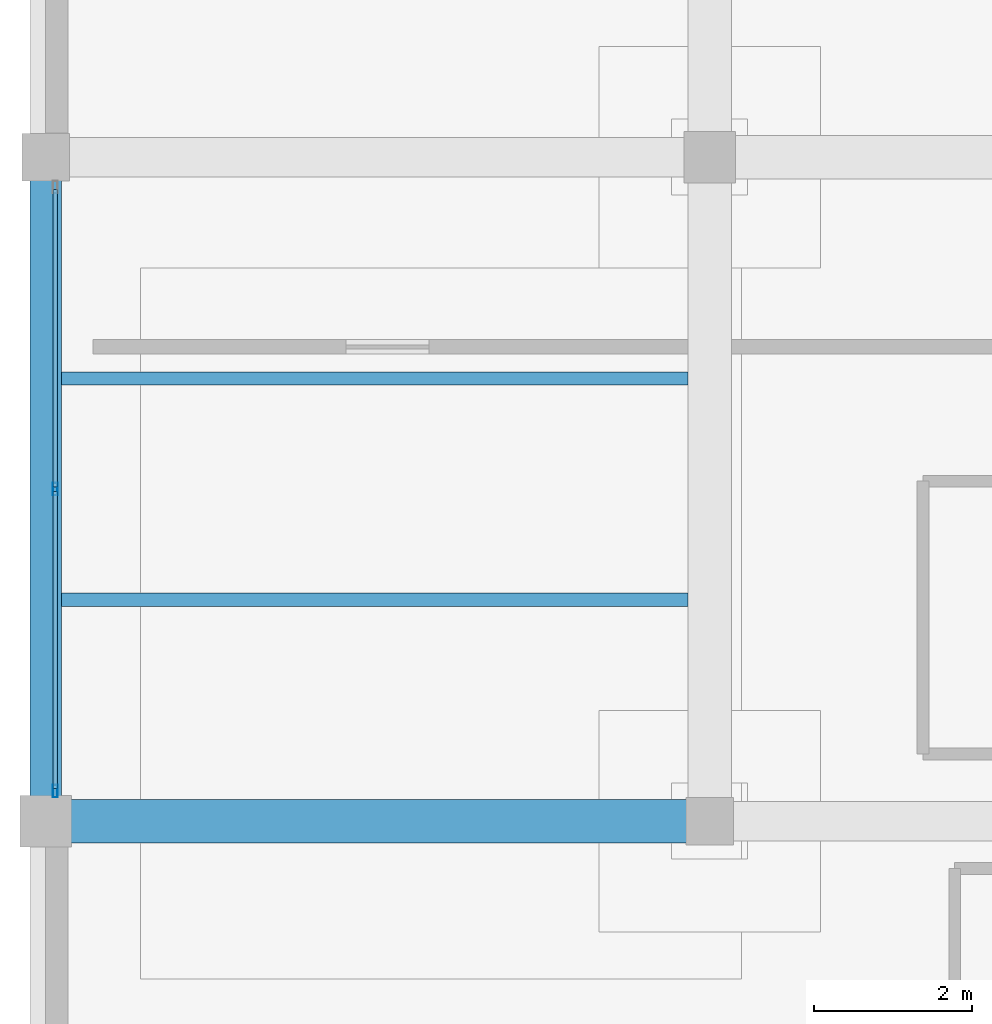
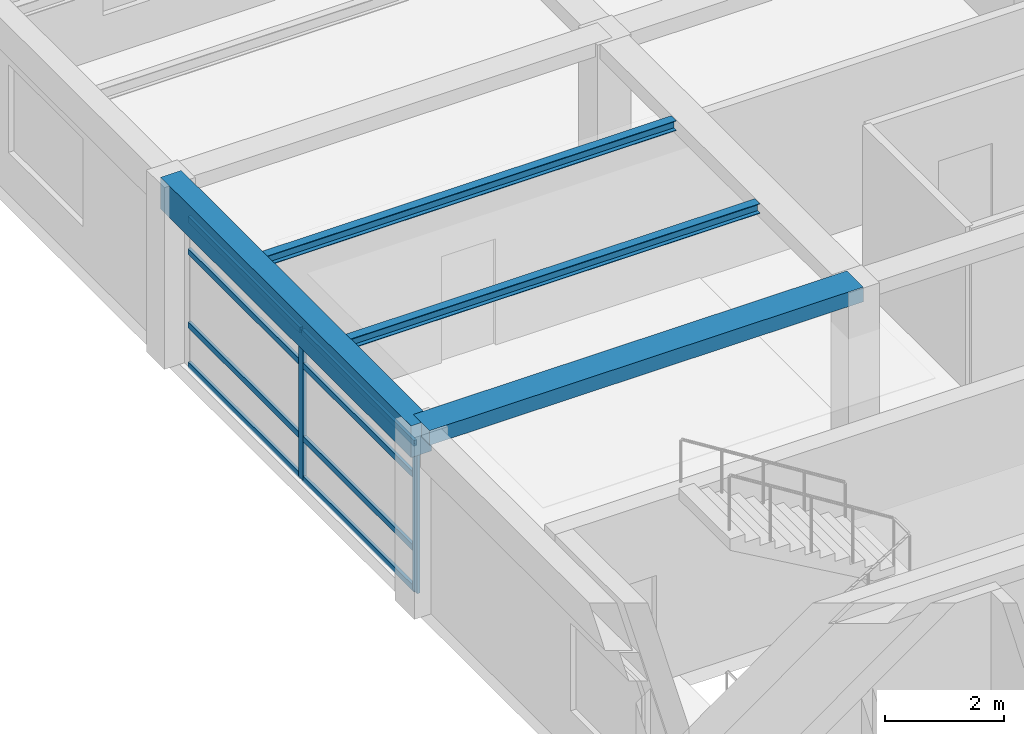
# One storey, part 8 of 25: 10 members, 4 beams, 1 element without a shape of its own.
"""IFC4 building model written with IfcOpenShell, lengths in metres."""

from ifc_helpers import new_model, si_unit, direction, frame, origin, origin_2d, place, context, subcontext, project, spatial, rectangle, hollow_rectangle, i_section, extrude, material, material_profile, profile_set, type_object, element, aggregate, save


model = new_model("IFC4")

# Units and contexts
model_context = context("Model", 3, precision=1e-05, world=origin(), true_north=direction((0.0, 1.0)))
body_context = subcontext(model_context, "Body", "Model", "MODEL_VIEW")
ifc_project = project(units=[si_unit("LENGTHUNIT", "METRE"), si_unit("AREAUNIT", "SQUARE_METRE"), si_unit("VOLUMEUNIT", "CUBIC_METRE"), si_unit("PLANEANGLEUNIT", "RADIAN"), si_unit("MASSUNIT", "GRAM", prefix="KILO")], contexts=[model_context])

# Site, building, storey
site_placement = place(None, origin())
site = spatial("IfcSite", under=ifc_project, at=site_placement, CompositionType="ELEMENT")
building_placement = place(site_placement, origin())
building = spatial("IfcBuilding", under=site, at=building_placement, Name="Almacenes y Pasaje Nevantli", CompositionType="ELEMENT")
storey_placement = place(building_placement, frame((0.0, 0.0, 50.699951171875)))
storey = spatial("IfcBuildingStorey", under=building, at=storey_placement, Name="L12", CompositionType="ELEMENT", Elevation=50.699951171875)

# Beams
ifc_material_1 = material(Name="Concrete C35/45", Category="concrete")
ifc_material_profile_1 = material_profile(ifc_material_1, rectangle(XDim=0.39990234375, YDim=0.64990234375, at=origin_2d()), Name="RC-BM-400x650")
ifc_profile_set_1 = profile_set([ifc_material_profile_1], Name="Concrete C35/45")
beam_type_1 = type_object("IfcBeamType", Name="BM-RC-400x650", PredefinedType="SPANDREL", material=ifc_profile_set_1)
beam_1_placement = place(storey_placement, frame((117.60009765625, 84.0, 3.39501953125), z_axis=(0.0, 1.0, 0.0), x_axis=(-1.0, 0.0, 0.0)))
element("IfcBeam", 1, at=beam_1_placement, inside=storey, type_object=beam_type_1, Name="L12 North-South Reinforced Concrete Beam #3918", PredefinedType="SPANDREL", context=body_context, shape_type="SweptSolid", body=[
    extrude(rectangle(XDim=0.39990234375, YDim=0.64990234375, at=origin_2d()), origin(), (0.0, 0.0, 1.0), 8.39990234375),
])
ifc_material_2 = material(Name="Concrete C35/45", Category="concrete")
ifc_material_profile_2 = material_profile(ifc_material_2, rectangle(XDim=0.550048828125, YDim=0.300048828125, at=origin_2d()), Name="RC-BM-550x300")
ifc_profile_set_2 = profile_set([ifc_material_profile_2], Name="Concrete C35/45")
beam_type_2 = type_object("IfcBeamType", Name="BM-RC-550x300", PredefinedType="BEAM", material=ifc_profile_set_2)
beam_2_placement = place(storey_placement, frame((117.60009765625, 84.0, 3.570068359375), z_axis=(1.0, 0.0, 0.0), x_axis=(0.0, 1.0, 0.0)))
element("IfcBeam", 2, at=beam_2_placement, inside=storey, type_object=beam_type_2, Name="L12 East-West Reinforced Concrete Beam #3901", PredefinedType="BEAM", context=body_context, shape_type="SweptSolid", body=[
    extrude(rectangle(XDim=0.550048828125, YDim=0.300048828125, at=origin_2d()), origin(), (0.0, 0.0, 1.0), 8.39990234375),
])
ifc_material_3 = material(Name="Steel ASTM A992", Category="steel")
ifc_material_profile_3 = material_profile(ifc_material_3, i_section(OverallWidth=0.166015625, OverallDepth=0.205078125, WebThickness=0.007080078125, FlangeThickness=0.01171875, at=origin_2d()), Name="IR 203x41.7")
ifc_profile_set_3 = profile_set([ifc_material_profile_3], Name="Steel ASTM A992")
beam_type_3 = type_object("IfcBeamType", Name="BM-STL-IR-203x41p7", PredefinedType="JOIST", material=ifc_profile_set_3)
for number, where, z_axis, x_axis, name in (
    (3, (117.800048828125, 86.800048828125, 3.609619140625), (1.0, 0.0, 0.0), (0.0, 1.0, 0.0), "L12 Secondary Steel Floor Joist #1541"),
    (4, (117.800048828125, 89.60009765625, 3.609619140625), (1.0, 0.0, 0.0), (0.0, 1.0, 0.0), "L12 Secondary Steel Floor Joist #1542"),
):
    element("IfcBeam", number, at=place(storey_placement, frame(where, z_axis=z_axis, x_axis=x_axis)), inside=storey, type_object=beam_type_3, Name=name, PredefinedType="JOIST", context=body_context, shape_type="SweptSolid", body=[
        extrude(i_section(OverallWidth=0.166015625, OverallDepth=0.205078125, WebThickness=0.007080078125, FlangeThickness=0.01171875, at=origin_2d()), origin(), (0.0, 0.0, 1.0), 7.925048828125),
    ])

# Curtain wall, members
ifc_material_4 = material(Name="Thermally Broken Aluminium and Low-E Glass", Category="aluminium")
curtain_wall_type = type_object("IfcCurtainWallType", Name="CW-UNIT-TOWER", PredefinedType="USERDEFINED", material=ifc_material_4)
curtain_wall_placement = place(storey_placement, origin())
curtain_wall = element("IfcCurtainWall", 5, at=curtain_wall_placement, inside=storey, type_object=curtain_wall_type, Name="L12 Tower West Curtain Wall Bay 11", ObjectType="UNITIZED CURTAIN WALL", PredefinedType="USERDEFINED")
ifc_material_5 = material(Name="Thermally Broken Anodized Aluminium", Category="aluminium")
ifc_material_profile_4 = material_profile(ifc_material_5, hollow_rectangle(XDim=0.06005859375, YDim=0.159912109375, WallThickness=0.00390625, at=origin_2d()), Name="ALU-MUL-60x160")
ifc_profile_set_4 = profile_set([ifc_material_profile_4], Name="Thermally Broken Anodized Aluminium")
member_type_1 = type_object("IfcMemberType", Name="CW-MUL-180", PredefinedType="MULLION", material=ifc_profile_set_4)
member_1_placement = place(storey_placement, frame((117.719970703125, 84.3798828125, 0.0), z_axis=(0.0, 0.0, 1.0), x_axis=(-1.0, 0.0, 0.0)))
member_1 = element("IfcMember", 6, at=member_1_placement, type_object=member_type_1, Name="CW-L12-166 mullion 1", PredefinedType="MULLION", context=body_context, shape_type="SweptSolid", body=[
    extrude(hollow_rectangle(XDim=0.06005859375, YDim=0.159912109375, WallThickness=0.00390625, at=origin_2d()), origin(), (0.0, 0.0, 1.0), 3.0400390625),
])
member_2_placement = place(storey_placement, frame((117.719970703125, 88.199951171875, 0.0), z_axis=(0.0, 0.0, 1.0), x_axis=(-1.0, 0.0, 0.0)))
member_2 = element("IfcMember", 7, at=member_2_placement, type_object=member_type_1, Name="CW-L12-166 mullion 2", PredefinedType="MULLION", context=body_context, shape_type="SweptSolid", body=[
    extrude(hollow_rectangle(XDim=0.06005859375, YDim=0.159912109375, WallThickness=0.00390625, at=origin_2d()), origin(), (0.0, 0.0, 1.0), 3.0400390625),
])
ifc_material_6 = material(Name="Thermally Broken Anodized Aluminium", Category="aluminium")
ifc_material_profile_5 = material_profile(ifc_material_6, hollow_rectangle(XDim=0.06005859375, YDim=0.1201171875, WallThickness=0.00341796875, at=origin_2d()), Name="ALU-TRN-60x120")
ifc_profile_set_5 = profile_set([ifc_material_profile_5], Name="Thermally Broken Anodized Aluminium")
member_type_2 = type_object("IfcMemberType", Name="CW-TRN-130", PredefinedType="USERDEFINED", material=ifc_profile_set_5)
member_3_placement = place(storey_placement, frame((117.719970703125, 84.409912109375, 0.030029296875), z_axis=(0.0, 1.0, 0.0), x_axis=(-1.0, 0.0, 0.0)))
member_3 = element("IfcMember", 8, at=member_3_placement, type_object=member_type_2, Name="CW-L12-166 transom 1.1", ObjectType="TRANSOM", PredefinedType="USERDEFINED", context=body_context, shape_type="SweptSolid", body=[
    extrude(hollow_rectangle(XDim=0.06005859375, YDim=0.1201171875, WallThickness=0.00341796875, at=origin_2d()), origin(), (0.0, 0.0, 1.0), 3.760009765625),
])
member_4_placement = place(storey_placement, frame((117.719970703125, 84.409912109375, 0.85009765625), z_axis=(0.0, 1.0, 0.0), x_axis=(-1.0, 0.0, 0.0)))
member_4 = element("IfcMember", 9, at=member_4_placement, type_object=member_type_2, Name="CW-L12-166 transom 1.2", ObjectType="TRANSOM", PredefinedType="USERDEFINED", context=body_context, shape_type="SweptSolid", body=[
    extrude(hollow_rectangle(XDim=0.06005859375, YDim=0.1201171875, WallThickness=0.00341796875, at=origin_2d()), origin(), (0.0, 0.0, 1.0), 3.760009765625),
])
member_5_placement = place(storey_placement, frame((117.719970703125, 84.409912109375, 2.35009765625), z_axis=(0.0, 1.0, 0.0), x_axis=(-1.0, 0.0, 0.0)))
member_5 = element("IfcMember", 10, at=member_5_placement, type_object=member_type_2, Name="CW-L12-166 transom 1.3", ObjectType="TRANSOM", PredefinedType="USERDEFINED", context=body_context, shape_type="SweptSolid", body=[
    extrude(hollow_rectangle(XDim=0.06005859375, YDim=0.1201171875, WallThickness=0.00341796875, at=origin_2d()), origin(), (0.0, 0.0, 1.0), 3.760009765625),
])
member_6_placement = place(storey_placement, frame((117.719970703125, 84.409912109375, 3.010009765625), z_axis=(0.0, 1.0, 0.0), x_axis=(-1.0, 0.0, 0.0)))
member_6 = element("IfcMember", 11, at=member_6_placement, type_object=member_type_2, Name="CW-L12-166 transom 1.4", ObjectType="TRANSOM", PredefinedType="USERDEFINED", context=body_context, shape_type="SweptSolid", body=[
    extrude(hollow_rectangle(XDim=0.06005859375, YDim=0.1201171875, WallThickness=0.00341796875, at=origin_2d()), origin(), (0.0, 0.0, 1.0), 3.760009765625),
])
member_7_placement = place(storey_placement, frame((117.719970703125, 88.22998046875, 0.030029296875), z_axis=(0.0, 1.0, 0.0), x_axis=(-1.0, 0.0, 0.0)))
member_7 = element("IfcMember", 12, at=member_7_placement, type_object=member_type_2, Name="CW-L12-166 transom 2.1", ObjectType="TRANSOM", PredefinedType="USERDEFINED", context=body_context, shape_type="SweptSolid", body=[
    extrude(hollow_rectangle(XDim=0.06005859375, YDim=0.1201171875, WallThickness=0.00341796875, at=origin_2d()), origin(), (0.0, 0.0, 1.0), 3.760009765625),
])
member_8_placement = place(storey_placement, frame((117.719970703125, 88.22998046875, 0.85009765625), z_axis=(0.0, 1.0, 0.0), x_axis=(-1.0, 0.0, 0.0)))
member_8 = element("IfcMember", 13, at=member_8_placement, type_object=member_type_2, Name="CW-L12-166 transom 2.2", ObjectType="TRANSOM", PredefinedType="USERDEFINED", context=body_context, shape_type="SweptSolid", body=[
    extrude(hollow_rectangle(XDim=0.06005859375, YDim=0.1201171875, WallThickness=0.00341796875, at=origin_2d()), origin(), (0.0, 0.0, 1.0), 3.760009765625),
])
member_9_placement = place(storey_placement, frame((117.719970703125, 88.22998046875, 2.35009765625), z_axis=(0.0, 1.0, 0.0), x_axis=(-1.0, 0.0, 0.0)))
member_9 = element("IfcMember", 14, at=member_9_placement, type_object=member_type_2, Name="CW-L12-166 transom 2.3", ObjectType="TRANSOM", PredefinedType="USERDEFINED", context=body_context, shape_type="SweptSolid", body=[
    extrude(hollow_rectangle(XDim=0.06005859375, YDim=0.1201171875, WallThickness=0.00341796875, at=origin_2d()), origin(), (0.0, 0.0, 1.0), 3.760009765625),
])
member_10_placement = place(storey_placement, frame((117.719970703125, 88.22998046875, 3.010009765625), z_axis=(0.0, 1.0, 0.0), x_axis=(-1.0, 0.0, 0.0)))
member_10 = element("IfcMember", 15, at=member_10_placement, type_object=member_type_2, Name="CW-L12-166 transom 2.4", ObjectType="TRANSOM", PredefinedType="USERDEFINED", context=body_context, shape_type="SweptSolid", body=[
    extrude(hollow_rectangle(XDim=0.06005859375, YDim=0.1201171875, WallThickness=0.00341796875, at=origin_2d()), origin(), (0.0, 0.0, 1.0), 3.760009765625),
])
aggregate(curtain_wall, [member_1, member_2, member_3, member_4, member_5, member_6, member_7, member_8, member_9, member_10])

save(model, "model.ifc")
